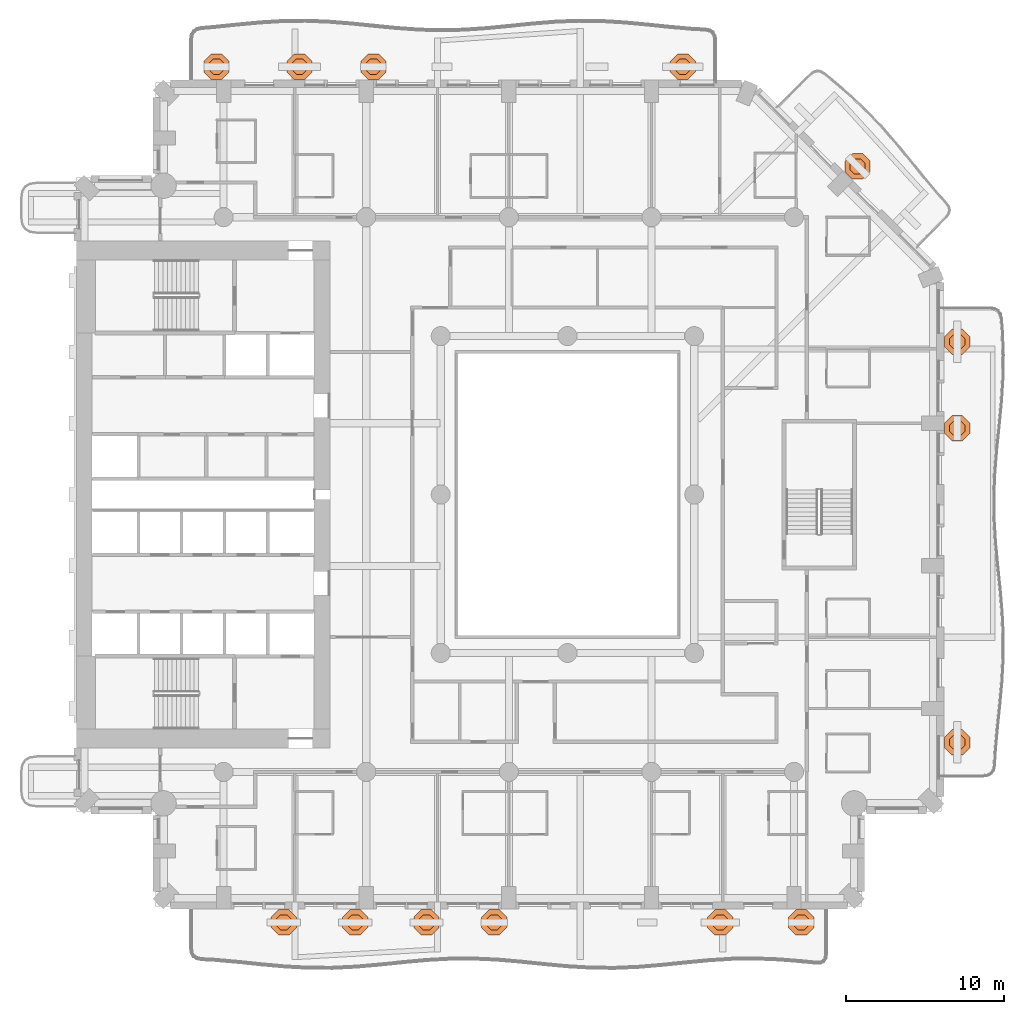
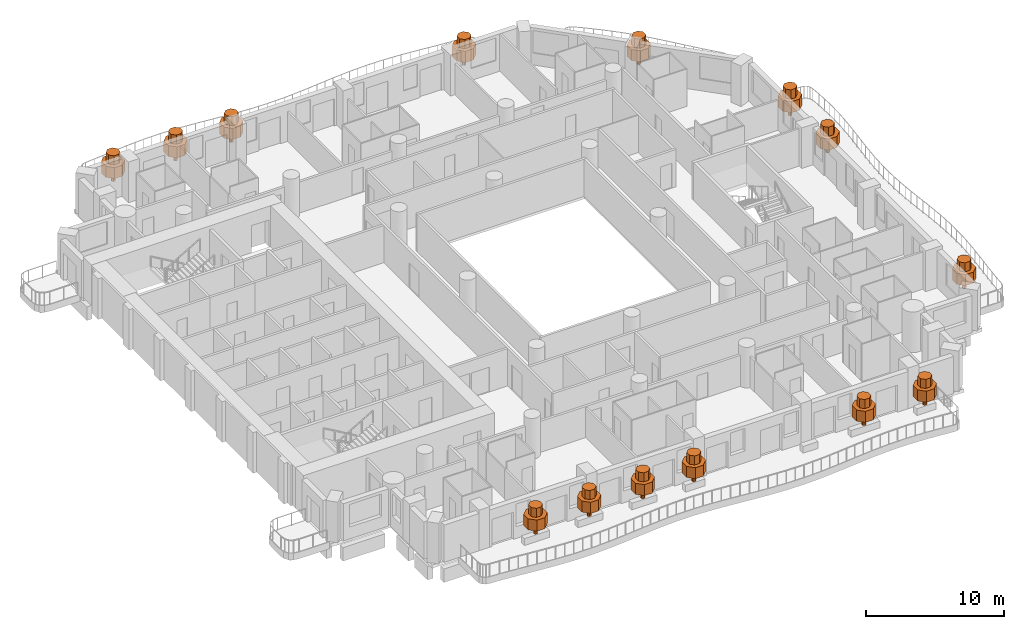
# One storey, part 20 of 20: 14 geographic elements.
"""IFC4 building model written with IfcOpenShell, lengths in metres."""

import ifcopenshell
import ifcopenshell.guid

model = None  # the IFC model being written
_history = None  # IfcOwnerHistory: only IFC2X3 demands one
_inside = {}  # id of a spatial element -> (the spatial element, [elements in it])
_under = {}  # id of a project, library or spatial element -> (it, [spatial elements below it])
_declared = {}  # id of a project -> (the project, [libraries it declares])
_typed = {}  # id of a type object -> (the type object, [elements of that type])
_made_of = {}  # id of a material, layer set ... -> (it, [elements and type objects made of it])


def new_model(schema):
    """Start an empty IFC model of exactly this schema.

    Asked for "IFC4X3", IfcOpenShell would pick the latest addendum, in which some entities
    have other attributes; the version numbers below select the first issue.
    IFC2X3 requires an IfcOwnerHistory on every rooted entity: one is made here for all.
    """
    global model, _history
    if schema == "IFC4X3":
        model = ifcopenshell.file(schema_version=(4, 3, 0, 0))
    else:
        model = ifcopenshell.file(schema=schema)
    _inside.clear()
    _under.clear()
    _declared.clear()
    _typed.clear()
    _made_of.clear()
    _history = None
    if model.schema == "IFC2X3":
        org = make("IfcOrganization", Name="unknown")
        user = make(
            "IfcPersonAndOrganization",
            ThePerson=make("IfcPerson", FamilyName="unknown"),
            TheOrganization=org,
        )
        app = make(
            "IfcApplication",
            ApplicationDeveloper=org,
            Version="unknown",
            ApplicationFullName="unknown",
            ApplicationIdentifier="unknown",
        )
        _history = make(
            "IfcOwnerHistory",
            OwningUser=user,
            OwningApplication=app,
            ChangeAction="ADDED",
            CreationDate=0,
        )
    return model


def make(cls, **values):
    """One entity of the class cls with the attributes given. An attribute that is None is left unset."""
    return model.create_entity(
        cls, **{name: value for name, value in values.items() if value is not None}
    )


def rooted(cls, **values):
    """An entity with a GlobalId (a new one), such as an element, a storey or a relation."""
    return make(cls, GlobalId=ifcopenshell.guid.new(), OwnerHistory=_history, **values)


def si_unit(unit_type, name, prefix=None):
    """IfcSIUnit, for example si_unit("LENGTHUNIT", "METRE", prefix="MILLI")."""
    return make("IfcSIUnit", UnitType=unit_type, Prefix=prefix, Name=name)


def assignment(units):
    """IfcUnitAssignment: the units of a project."""
    return None if units is None else make("IfcUnitAssignment", Units=units)


def point(xyz):
    """IfcCartesianPoint."""
    return None if xyz is None else make("IfcCartesianPoint", Coordinates=xyz)


def direction(xyz):
    """IfcDirection."""
    return None if xyz is None else make("IfcDirection", DirectionRatios=xyz)


def frame(location, z_axis=None, x_axis=None):
    """IfcAxis2Placement3D, a coordinate frame: its origin and axes. An axis left out is left unset."""
    return make(
        "IfcAxis2Placement3D",
        Location=point(location),
        Axis=direction(z_axis),
        RefDirection=direction(x_axis),
    )


def origin():
    """The frame at (0, 0, 0) with its axes left unset."""
    return frame((0.0, 0.0, 0.0))


def place(relative_to, where):
    """IfcLocalPlacement: puts the frame where relative to a parent placement (None: the world)."""
    return make(
        "IfcLocalPlacement", PlacementRelTo=relative_to, RelativePlacement=where
    )


def context(
    kind, dimensions, precision=None, world=None, true_north=None, identifier=None
):
    """IfcGeometricRepresentationContext, for example the 3D "Model" context."""
    return make(
        "IfcGeometricRepresentationContext",
        ContextIdentifier=identifier,
        ContextType=kind,
        CoordinateSpaceDimension=dimensions,
        Precision=precision,
        WorldCoordinateSystem=world,
        TrueNorth=true_north,
    )


def subcontext(parent, identifier, kind, view, scale=None):
    """IfcGeometricRepresentationSubContext, for example "Body" below "Model"."""
    return make(
        "IfcGeometricRepresentationSubContext",
        ContextIdentifier=identifier,
        ContextType=kind,
        ParentContext=parent,
        TargetScale=scale,
        TargetView=view,
    )


def project(units=None, contexts=None):
    """IfcProject with its units and contexts."""
    return rooted(
        "IfcProject",
        Name="project",
        RepresentationContexts=contexts,
        UnitsInContext=assignment(units),
    )


def spatial(cls, under=None, at=None, **own):
    """A site, building, storey or space (cls), placed at a placement, below another one or the project."""
    s = rooted(cls, ObjectPlacement=at, **own)
    if under is not None:
        _under.setdefault(under.id(), (under, []))[1].append(s)
    return s


def polyline(points):
    """IfcPolyline through the points."""
    return make("IfcPolyline", Points=[point(p) for p in points])


def outline(outer, holes=None, kind="AREA"):
    """IfcArbitraryClosedProfileDef: a profile drawn as a closed curve; with holes, ...WithVoids."""
    if holes is None:
        return make("IfcArbitraryClosedProfileDef", ProfileType=kind, OuterCurve=outer)
    return make(
        "IfcArbitraryProfileDefWithVoids",
        ProfileType=kind,
        OuterCurve=outer,
        InnerCurves=holes,
    )


def extrude(swept, where, along, depth):
    """IfcExtrudedAreaSolid: the profile swept, set in the frame where, extruded along a direction by depth."""
    return make(
        "IfcExtrudedAreaSolid",
        SweptArea=swept,
        Position=where,
        ExtrudedDirection=direction(along),
        Depth=depth,
    )


def shape(context_of_items, identifier, shape_type, items):
    """IfcShapeRepresentation: the items that make up one representation, for example the "Body"."""
    return make(
        "IfcShapeRepresentation",
        ContextOfItems=context_of_items,
        RepresentationIdentifier=identifier,
        RepresentationType=shape_type,
        Items=items,
    )


def material(Name=None, Category=None):
    """IfcMaterial."""
    return make("IfcMaterial", Name=Name, Category=Category)


def made_of(thing, what):
    """Note that an element or type object is made of a material, layer set ...; save() writes the relation."""
    if what is not None:
        _made_of.setdefault(what.id(), (what, []))[1].append(thing)
    return thing


def type_object(cls, material=None, **own):
    """A type object (cls), such as IfcWallType, which elements share."""
    return made_of(rooted(cls, **own), material)


def element(
    cls,
    number,
    at=None,
    inside=None,
    cuts=None,
    type_object=None,
    material=None,
    context=None,
    identifier="Body",
    shape_type=None,
    held_by="IfcProductDefinitionShape",
    body=None,
    shapes=None,
    **own,
):
    """One element of the class cls, such as IfcWall. Its Tag is "e" and its number.

    at: its placement. inside: the storey or other place that contains it. cuts: it is an
    opening in that element (IfcRelVoidsElement). A single representation is given by context,
    identifier, shape_type and body (its items); several are given by shapes. held_by: the class
    of the entity that holds the representations. save() writes the other relations.
    """
    e = rooted(cls, Tag="e%d" % number, ObjectPlacement=at, **own)
    if body is not None:
        shapes = [shape(context, identifier, shape_type, body)]
    if shapes is not None:
        e.Representation = make(held_by, Representations=shapes)
    if inside is not None:
        _inside.setdefault(inside.id(), (inside, []))[1].append(e)
    if cuts is not None:
        rooted(
            "IfcRelVoidsElement", RelatingBuildingElement=cuts, RelatedOpeningElement=e
        )
    if type_object is not None:
        _typed.setdefault(type_object.id(), (type_object, []))[1].append(e)
    return made_of(e, material)


def aggregate(whole, parts):
    """IfcRelAggregates: a whole, such as a stair, and the parts it consists of."""
    return rooted("IfcRelAggregates", RelatingObject=whole, RelatedObjects=parts)


def save(model, path):
    """Write the relations noted so far, then the file.

    IfcRelAggregates (storeys below a building ...), IfcRelContainedInSpatialStructure (elements
    in a storey), IfcRelDefinesByType, IfcRelAssociatesMaterial and IfcRelDeclares: one each for
    every whole, place, type object, material and project.
    """
    for whole, parts in _under.values():
        aggregate(whole, parts)
    for where, things in _inside.values():
        rooted(
            "IfcRelContainedInSpatialStructure",
            RelatedElements=things,
            RelatingStructure=where,
        )
    for kind, things in _typed.values():
        rooted("IfcRelDefinesByType", RelatedObjects=things, RelatingType=kind)
    for what, things in _made_of.values():
        rooted("IfcRelAssociatesMaterial", RelatedObjects=things, RelatingMaterial=what)
    for by, libraries in _declared.values():
        rooted("IfcRelDeclares", RelatingContext=by, RelatedDefinitions=libraries)
    model.write(path)


model = new_model("IFC4")

# Units and contexts
model_context = context("Model", 3, precision=1e-05, world=origin(), true_north=direction((0.0, 1.0)))
body_context = subcontext(model_context, "Body", "Model", "MODEL_VIEW")
ifc_project = project(units=[si_unit("LENGTHUNIT", "METRE"), si_unit("AREAUNIT", "SQUARE_METRE"), si_unit("VOLUMEUNIT", "CUBIC_METRE"), si_unit("PLANEANGLEUNIT", "RADIAN"), si_unit("MASSUNIT", "GRAM", prefix="KILO")], contexts=[model_context])

# Site, building, storey
site_placement = place(None, origin())
site = spatial("IfcSite", under=ifc_project, at=site_placement, CompositionType="ELEMENT")
building_placement = place(site_placement, origin())
building = spatial("IfcBuilding", under=site, at=building_placement, Name="Cypress Arch Tower", CompositionType="ELEMENT")
storey_placement = place(building_placement, frame((0.0, 0.0, 87.89990234375)))
storey = spatial("IfcBuildingStorey", under=building, at=storey_placement, Name="L16", CompositionType="ELEMENT", Elevation=87.89990234375)

# Geographic elements
ifc_material = material(Name="Foliage and planting")
geographic_element_type = type_object("IfcGeographicElementType", Name="Balcony tree TR", PredefinedType="USERDEFINED", material=ifc_material)
for number, where, z_axis, x_axis, name in (
    (1, (-16.89990234375, -27.0, 0.60009765625), (0.0, 0.0, 1.0), (1.0, 0.0, 0.0), "Balcony tree L16-A03.1"),
    (2, (-12.39990234375, -27.0, 0.60009765625), (0.0, 0.0, 1.0), (1.0, 0.0, 0.0), "Balcony tree L16-A03.2"),
    (3, (-7.89990234375, -27.0, 0.60009765625), (0.0, 0.0, 1.0), (1.0, 0.0, 0.0), "Balcony tree L16-A03.3"),
    (4, (-3.625, -27.0, 0.60009765625), (0.0, 0.0, 1.0), (1.0, 0.0, 0.0), "Balcony tree L16-A03.4"),
    (5, (10.639892578125, -27.0, 0.60009765625), (0.0, 0.0, 1.0), (1.0, 0.0, 0.0), "Balcony tree L16-A03.6"),
    (6, (15.75, -27.0, 0.60009765625), (0.0, 0.0, 1.0), (1.0, 0.0, 0.0), "Balcony tree L16-A03.7"),
    (7, (25.60009765625, -15.642822265625, 0.60009765625), (0.0, 0.0, 1.0), (1.0, 0.0, 0.0), "Balcony tree L16-A06.1"),
    (8, (25.60009765625, 4.1826171875, 0.60009765625), (0.0, 0.0, 1.0), (1.0, 0.0, 0.0), "Balcony tree L16-A06.2"),
    (9, (25.60009765625, 9.642822265625, 0.60009765625), (0.0, 0.0, 1.0), (1.0, 0.0, 0.0), "Balcony tree L16-A06.3"),
    (10, (19.30712890625, 20.70703125, 0.60009765625), (0.0, 0.0, 1.0), (1.0, 0.0, 0.0), "Balcony tree L16-A07.2"),
    (11, (8.28125, 27.0, 0.60009765625), (0.0, 0.0, 1.0), (1.0, 0.0, 0.0), "Balcony tree L16-A08.1"),
    (12, (-11.24365234375, 27.0, 0.60009765625), (0.0, 0.0, 1.0), (1.0, 0.0, 0.0), "Balcony tree L16-A08.4"),
    (13, (-15.91259765625, 27.0, 0.60009765625), (0.0, 0.0, 1.0), (1.0, 0.0, 0.0), "Balcony tree L16-A08.5"),
    (14, (-21.14990234375, 27.0, 0.60009765625), (0.0, 0.0, 1.0), (1.0, 0.0, 0.0), "Balcony tree L16-A08.6"),
):
    element("IfcGeographicElement", number, at=place(storey_placement, frame(where, z_axis=z_axis, x_axis=x_axis)), inside=storey, type_object=geographic_element_type, Name=name, ObjectType="TREE", PredefinedType="USERDEFINED", context=body_context, shape_type="SweptSolid", body=[
        extrude(outline(polyline([(0.14990234375, 0.06201171875), (0.06201171875, 0.14990234375), (-0.06201171875, 0.14990234375), (-0.14990234375, 0.06201171875), (-0.14990234375, -0.06201171875), (-0.06201171875, -0.14990234375), (0.06201171875, -0.14990234375), (0.14990234375, -0.06201171875), (0.14990234375, 0.06201171875)])), origin(), (0.0, 0.0, 1.0), 0.864990234375),
        extrude(outline(polyline([(0.800048828125, 0.331298828125), (0.331298828125, 0.800048828125), (-0.331298828125, 0.800048828125), (-0.800048828125, 0.331298828125), (-0.800048828125, -0.331298828125), (-0.331298828125, -0.800048828125), (0.331298828125, -0.800048828125), (0.800048828125, -0.331298828125), (0.800048828125, 0.331298828125)])), frame((0.0, 0.0, 0.764892578125)), (0.0, 0.0, 1.0), 0.981689453125),
        extrude(outline(polyline([(0.47998046875, 0.19873046875), (0.19873046875, 0.47998046875), (-0.19873046875, 0.47998046875), (-0.47998046875, 0.19873046875), (-0.47998046875, -0.19873046875), (-0.19873046875, -0.47998046875), (0.19873046875, -0.47998046875), (0.47998046875, -0.19873046875), (0.47998046875, 0.19873046875)])), frame((0.0, 0.0, 1.746826171875)), (0.0, 0.0, 1.0), 0.80322265625),
    ])

save(model, "model.ifc")
